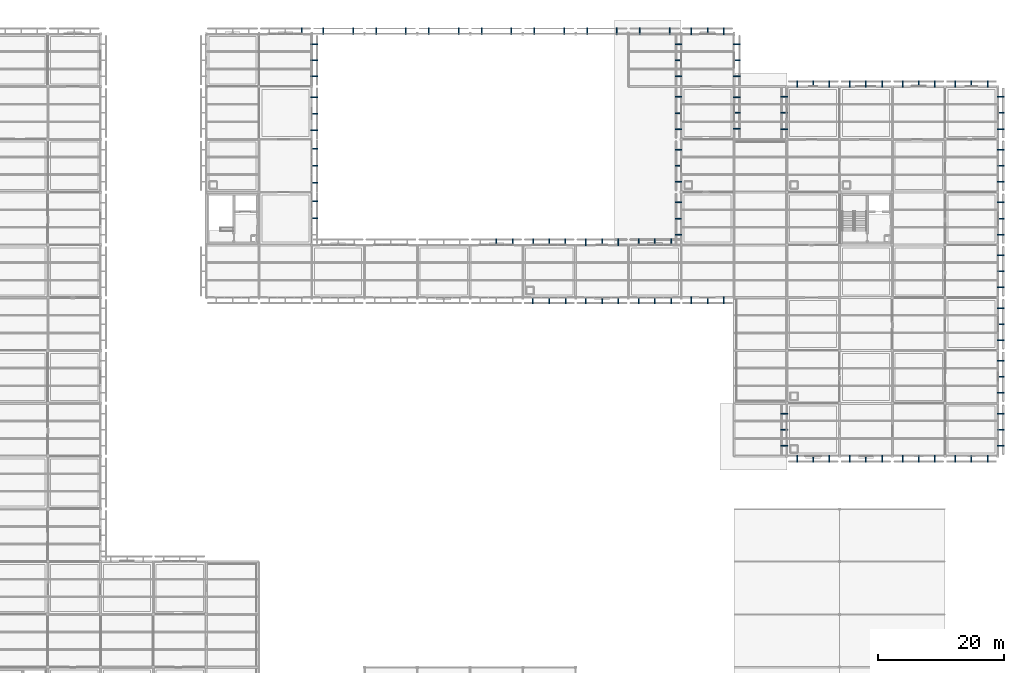
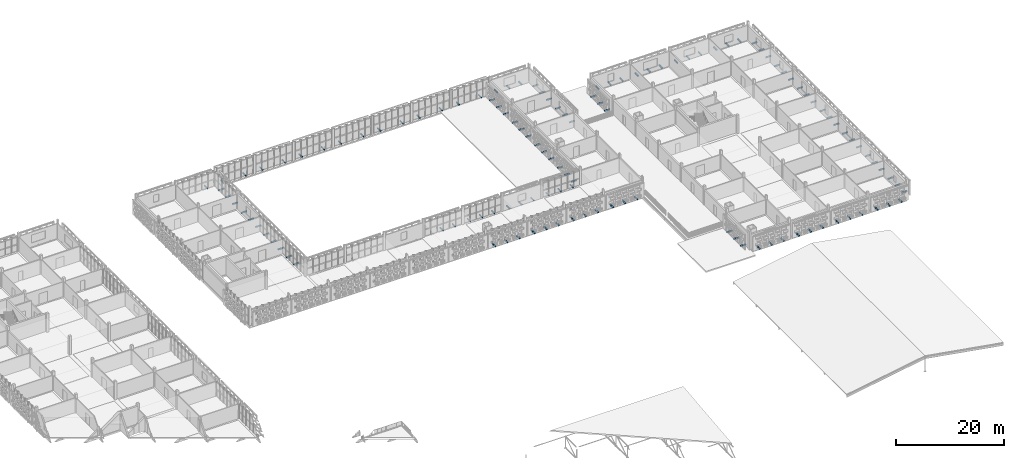
# One storey, part 95 of 140: 121 discrete accessories.
"""IFC4 building model written with IfcOpenShell, lengths in metres."""

from ifc_helpers import new_model, si_unit, direction, frame, origin, origin_2d, place, context, subcontext, project, spatial, rectangle, extrude, material, type_object, element, save


model = new_model("IFC4")

# Units and contexts
model_context = context("Model", 3, precision=1e-05, world=origin(), true_north=direction((0.0, 1.0)))
body_context = subcontext(model_context, "Body", "Model", "MODEL_VIEW")
ifc_project = project(units=[si_unit("LENGTHUNIT", "METRE"), si_unit("AREAUNIT", "SQUARE_METRE"), si_unit("VOLUMEUNIT", "CUBIC_METRE"), si_unit("PLANEANGLEUNIT", "RADIAN"), si_unit("MASSUNIT", "GRAM", prefix="KILO")], contexts=[model_context])

# Site, building, storey
site_placement = place(None, origin())
site = spatial("IfcSite", under=ifc_project, at=site_placement, CompositionType="ELEMENT")
building_placement = place(site_placement, origin())
building = spatial("IfcBuilding", under=site, at=building_placement, Name="Varnapada Polytechnic", CompositionType="ELEMENT")
storey_placement = place(building_placement, frame((0.0, 0.0, 13.800048828125)))
storey = spatial("IfcBuildingStorey", under=building, at=storey_placement, Name="L03", CompositionType="ELEMENT", Elevation=13.800048828125)

# Discrete accessories
ifc_material = material(Name="Steel S355", Category="steel")
discrete_accessory_type = type_object("IfcDiscreteAccessoryType", Name="Screen Outrigger Bracket BRK-01", PredefinedType="BRACKET", material=ifc_material)
for number, where, z_axis, x_axis, name in (
    (1, (67.625, 99.318603515625, -0.0498046875), (0.0, 0.0, 1.0), (0.0, -1.0, 0.0), "L03 terracotta screen outrigger bracket 49.1"),
    (2, (67.625, 96.68505859375, -0.0498046875), (0.0, 0.0, 1.0), (0.0, -1.0, 0.0), "L03 terracotta screen outrigger bracket 49.2"),
    (3, (67.625, 107.68798828125, -0.0498046875), (0.0, 0.0, 1.0), (0.0, -1.0, 0.0), "L03 terracotta screen outrigger bracket 50.1"),
    (4, (67.625, 105.0, -0.0498046875), (0.0, 0.0, 1.0), (0.0, -1.0, 0.0), "L03 terracotta screen outrigger bracket 50.2"),
    (5, (67.625, 102.31201171875, -0.0498046875), (0.0, 0.0, 1.0), (0.0, -1.0, 0.0), "L03 terracotta screen outrigger bracket 50.3"),
    (6, (67.625, 115.9404296875, -0.0498046875), (0.0, 0.0, 1.0), (0.0, -1.0, 0.0), "L03 terracotta screen outrigger bracket 51.1"),
    (7, (67.625, 113.31005859375, -0.0498046875), (0.0, 0.0, 1.0), (0.0, -1.0, 0.0), "L03 terracotta screen outrigger bracket 51.2"),
    (8, (67.625, 110.6796875, -0.0498046875), (0.0, 0.0, 1.0), (0.0, -1.0, 0.0), "L03 terracotta screen outrigger bracket 51.3"),
    (9, (65.592041015625, 126.425048828125, -0.0498046875), (0.0, 0.0, 1.0), (1.0, 0.0, 0.0), "L03 terracotta screen outrigger bracket 52.3"),
    (10, (67.625, 124.3359375, -0.0498046875), (0.0, 0.0, 1.0), (0.0, -1.0, 0.0), "L03 terracotta screen outrigger bracket 53.1"),
    (11, (67.625, 121.777587890625, -0.0498046875), (0.0, 0.0, 1.0), (0.0, -1.0, 0.0), "L03 terracotta screen outrigger bracket 53.2"),
    (12, (67.625, 119.218994140625, -0.0498046875), (0.0, 0.0, 1.0), (0.0, -1.0, 0.0), "L03 terracotta screen outrigger bracket 53.3"),
    (13, (96.60009765625, 92.824951171875, -0.0498046875), (0.0, 0.0, 1.0), (1.0, 0.0, 0.0), "L03 terracotta screen outrigger bracket 61.2"),
    (14, (99.17919921875, 92.824951171875, -0.0498046875), (0.0, 0.0, 1.0), (1.0, 0.0, 0.0), "L03 terracotta screen outrigger bracket 61.3"),
    (15, (107.592041015625, 83.574951171875, -0.0498046875), (0.0, 0.0, 1.0), (-1.0, 0.0, 0.0), "L03 terracotta screen outrigger bracket 62.1"),
    (16, (105.0, 83.574951171875, -0.0498046875), (0.0, 0.0, 1.0), (-1.0, 0.0, 0.0), "L03 terracotta screen outrigger bracket 62.2"),
    (17, (102.407958984375, 83.574951171875, -0.0498046875), (0.0, 0.0, 1.0), (-1.0, 0.0, 0.0), "L03 terracotta screen outrigger bracket 62.3"),
    (18, (102.4208984375, 92.824951171875, -0.0498046875), (0.0, 0.0, 1.0), (1.0, 0.0, 0.0), "L03 terracotta screen outrigger bracket 63.1"),
    (19, (105.0, 92.824951171875, -0.0498046875), (0.0, 0.0, 1.0), (1.0, 0.0, 0.0), "L03 terracotta screen outrigger bracket 63.2"),
    (20, (107.5791015625, 92.824951171875, -0.0498046875), (0.0, 0.0, 1.0), (1.0, 0.0, 0.0), "L03 terracotta screen outrigger bracket 63.3"),
    (21, (115.991943359375, 83.574951171875, -0.0498046875), (0.0, 0.0, 1.0), (-1.0, 0.0, 0.0), "L03 terracotta screen outrigger bracket 64.1"),
    (22, (113.39990234375, 83.574951171875, -0.0498046875), (0.0, 0.0, 1.0), (-1.0, 0.0, 0.0), "L03 terracotta screen outrigger bracket 64.2"),
    (23, (110.80810546875, 83.574951171875, -0.0498046875), (0.0, 0.0, 1.0), (-1.0, 0.0, 0.0), "L03 terracotta screen outrigger bracket 64.3"),
    (24, (110.82080078125, 92.824951171875, -0.0498046875), (0.0, 0.0, 1.0), (1.0, 0.0, 0.0), "L03 terracotta screen outrigger bracket 65.1"),
    (25, (113.39990234375, 92.824951171875, -0.0498046875), (0.0, 0.0, 1.0), (1.0, 0.0, 0.0), "L03 terracotta screen outrigger bracket 65.2"),
    (26, (115.979248046875, 92.824951171875, -0.0498046875), (0.0, 0.0, 1.0), (1.0, 0.0, 0.0), "L03 terracotta screen outrigger bracket 65.3"),
    (27, (124.39208984375, 83.574951171875, -0.0498046875), (0.0, 0.0, 1.0), (-1.0, 0.0, 0.0), "L03 terracotta screen outrigger bracket 66.1"),
    (28, (121.800048828125, 83.574951171875, -0.0498046875), (0.0, 0.0, 1.0), (-1.0, 0.0, 0.0), "L03 terracotta screen outrigger bracket 66.2"),
    (29, (119.2080078125, 83.574951171875, -0.0498046875), (0.0, 0.0, 1.0), (-1.0, 0.0, 0.0), "L03 terracotta screen outrigger bracket 66.3"),
    (30, (119.220703125, 92.824951171875, -0.0498046875), (0.0, 0.0, 1.0), (1.0, 0.0, 0.0), "L03 terracotta screen outrigger bracket 67.1"),
    (31, (121.800048828125, 92.824951171875, -0.0498046875), (0.0, 0.0, 1.0), (1.0, 0.0, 0.0), "L03 terracotta screen outrigger bracket 67.2"),
    (32, (124.379150390625, 92.824951171875, -0.0498046875), (0.0, 0.0, 1.0), (1.0, 0.0, 0.0), "L03 terracotta screen outrigger bracket 67.3"),
    (33, (132.7919921875, 83.574951171875, -0.0498046875), (0.0, 0.0, 1.0), (-1.0, 0.0, 0.0), "L03 terracotta screen outrigger bracket 68.1"),
    (34, (130.199951171875, 83.574951171875, -0.0498046875), (0.0, 0.0, 1.0), (-1.0, 0.0, 0.0), "L03 terracotta screen outrigger bracket 68.2"),
    (35, (127.60791015625, 83.574951171875, -0.0498046875), (0.0, 0.0, 1.0), (-1.0, 0.0, 0.0), "L03 terracotta screen outrigger bracket 68.3"),
    (36, (125.574951171875, 94.01904296875, -0.0498046875), (0.0, 0.0, 1.0), (0.0, 1.0, 0.0), "L03 terracotta screen outrigger bracket 70.1"),
    (37, (125.574951171875, 96.594970703125, -0.0498046875), (0.0, 0.0, 1.0), (0.0, 1.0, 0.0), "L03 terracotta screen outrigger bracket 70.2"),
    (38, (125.574951171875, 99.1708984375, -0.0498046875), (0.0, 0.0, 1.0), (0.0, 1.0, 0.0), "L03 terracotta screen outrigger bracket 70.3"),
    (39, (125.574951171875, 102.428955078125, -0.0498046875), (0.0, 0.0, 1.0), (0.0, 1.0, 0.0), "L03 terracotta screen outrigger bracket 72.1"),
    (40, (125.574951171875, 105.0048828125, -0.0498046875), (0.0, 0.0, 1.0), (0.0, 1.0, 0.0), "L03 terracotta screen outrigger bracket 72.2"),
    (41, (125.574951171875, 107.5810546875, -0.0498046875), (0.0, 0.0, 1.0), (0.0, 1.0, 0.0), "L03 terracotta screen outrigger bracket 72.3"),
    (42, (125.574951171875, 110.819091796875, -0.0498046875), (0.0, 0.0, 1.0), (0.0, 1.0, 0.0), "L03 terracotta screen outrigger bracket 74.1"),
    (43, (125.574951171875, 113.39501953125, -0.0498046875), (0.0, 0.0, 1.0), (0.0, 1.0, 0.0), "L03 terracotta screen outrigger bracket 74.2"),
    (44, (125.574951171875, 115.970947265625, -0.0498046875), (0.0, 0.0, 1.0), (0.0, 1.0, 0.0), "L03 terracotta screen outrigger bracket 74.3"),
    (45, (134.824951171875, 115.944091796875, -0.0498046875), (0.0, 0.0, 1.0), (0.0, -1.0, 0.0), "L03 terracotta screen outrigger bracket 75.1"),
    (46, (134.824951171875, 113.39990234375, -0.0498046875), (0.0, 0.0, 1.0), (0.0, -1.0, 0.0), "L03 terracotta screen outrigger bracket 75.2"),
    (47, (134.824951171875, 110.85595703125, -0.0498046875), (0.0, 0.0, 1.0), (0.0, -1.0, 0.0), "L03 terracotta screen outrigger bracket 75.3"),
    (48, (127.60791015625, 126.425048828125, -0.0498046875), (0.0, 0.0, 1.0), (1.0, 0.0, 0.0), "L03 terracotta screen outrigger bracket 76.1"),
    (49, (130.199951171875, 126.425048828125, -0.0498046875), (0.0, 0.0, 1.0), (1.0, 0.0, 0.0), "L03 terracotta screen outrigger bracket 76.2"),
    (50, (132.7919921875, 126.425048828125, -0.0498046875), (0.0, 0.0, 1.0), (1.0, 0.0, 0.0), "L03 terracotta screen outrigger bracket 76.3"),
    (51, (125.574951171875, 119.218994140625, -0.0498046875), (0.0, 0.0, 1.0), (0.0, 1.0, 0.0), "L03 terracotta screen outrigger bracket 77.1"),
    (52, (125.574951171875, 121.777587890625, -0.0498046875), (0.0, 0.0, 1.0), (0.0, 1.0, 0.0), "L03 terracotta screen outrigger bracket 77.2"),
    (53, (125.574951171875, 124.3359375, -0.0498046875), (0.0, 0.0, 1.0), (0.0, 1.0, 0.0), "L03 terracotta screen outrigger bracket 77.3"),
    (54, (134.824951171875, 124.34814453125, -0.0498046875), (0.0, 0.0, 1.0), (0.0, -1.0, 0.0), "L03 terracotta screen outrigger bracket 78.1"),
    (55, (134.824951171875, 121.802490234375, -0.0498046875), (0.0, 0.0, 1.0), (0.0, -1.0, 0.0), "L03 terracotta screen outrigger bracket 78.2"),
    (56, (134.824951171875, 119.2568359375, -0.0498046875), (0.0, 0.0, 1.0), (0.0, -1.0, 0.0), "L03 terracotta screen outrigger bracket 78.3"),
    (57, (149.568115234375, 58.375, -0.0498046875), (0.0, 0.0, 1.0), (-1.0, 0.0, 0.0), "L03 terracotta screen outrigger bracket 79.1"),
    (58, (147.0048828125, 58.375, -0.0498046875), (0.0, 0.0, 1.0), (-1.0, 0.0, 0.0), "L03 terracotta screen outrigger bracket 79.2"),
    (59, (144.44189453125, 58.375, -0.0498046875), (0.0, 0.0, 1.0), (-1.0, 0.0, 0.0), "L03 terracotta screen outrigger bracket 79.3"),
    (60, (142.375, 60.43994140625, -0.0498046875), (0.0, 0.0, 1.0), (0.0, 1.0, 0.0), "L03 terracotta screen outrigger bracket 80.1"),
    (61, (142.375, 63.0, -0.0498046875), (0.0, 0.0, 1.0), (0.0, 1.0, 0.0), "L03 terracotta screen outrigger bracket 80.2"),
    (62, (142.375, 65.56005859375, -0.0498046875), (0.0, 0.0, 1.0), (0.0, 1.0, 0.0), "L03 terracotta screen outrigger bracket 80.3"),
    (63, (144.44189453125, 118.02490234375, -0.0498046875), (0.0, 0.0, 1.0), (1.0, 0.0, 0.0), "L03 terracotta screen outrigger bracket 86.1"),
    (64, (147.0048828125, 118.02490234375, -0.0498046875), (0.0, 0.0, 1.0), (1.0, 0.0, 0.0), "L03 terracotta screen outrigger bracket 86.2"),
    (65, (149.568115234375, 118.02490234375, -0.0498046875), (0.0, 0.0, 1.0), (1.0, 0.0, 0.0), "L03 terracotta screen outrigger bracket 86.3"),
    (66, (142.375, 110.840087890625, -0.0498046875), (0.0, 0.0, 1.0), (0.0, 1.0, 0.0), "L03 terracotta screen outrigger bracket 87.1"),
    (67, (142.375, 113.39990234375, -0.0498046875), (0.0, 0.0, 1.0), (0.0, 1.0, 0.0), "L03 terracotta screen outrigger bracket 87.2"),
    (68, (142.375, 115.9599609375, -0.0498046875), (0.0, 0.0, 1.0), (0.0, 1.0, 0.0), "L03 terracotta screen outrigger bracket 87.3"),
    (69, (157.958251953125, 58.375, -0.0498046875), (0.0, 0.0, 1.0), (-1.0, 0.0, 0.0), "L03 terracotta screen outrigger bracket 88.1"),
    (70, (155.39501953125, 58.375, -0.0498046875), (0.0, 0.0, 1.0), (-1.0, 0.0, 0.0), "L03 terracotta screen outrigger bracket 88.2"),
    (71, (152.831787109375, 58.375, -0.0498046875), (0.0, 0.0, 1.0), (-1.0, 0.0, 0.0), "L03 terracotta screen outrigger bracket 88.3"),
    (72, (152.831787109375, 118.02490234375, -0.0498046875), (0.0, 0.0, 1.0), (1.0, 0.0, 0.0), "L03 terracotta screen outrigger bracket 89.1"),
    (73, (155.39501953125, 118.02490234375, -0.0498046875), (0.0, 0.0, 1.0), (1.0, 0.0, 0.0), "L03 terracotta screen outrigger bracket 89.2"),
    (74, (157.958251953125, 118.02490234375, -0.0498046875), (0.0, 0.0, 1.0), (1.0, 0.0, 0.0), "L03 terracotta screen outrigger bracket 89.3"),
    (75, (166.3681640625, 58.375, -0.0498046875), (0.0, 0.0, 1.0), (-1.0, 0.0, 0.0), "L03 terracotta screen outrigger bracket 90.1"),
    (76, (163.804931640625, 58.375, -0.0498046875), (0.0, 0.0, 1.0), (-1.0, 0.0, 0.0), "L03 terracotta screen outrigger bracket 90.2"),
    (77, (161.24169921875, 58.375, -0.0498046875), (0.0, 0.0, 1.0), (-1.0, 0.0, 0.0), "L03 terracotta screen outrigger bracket 90.3"),
    (78, (161.24169921875, 118.02490234375, -0.0498046875), (0.0, 0.0, 1.0), (1.0, 0.0, 0.0), "L03 terracotta screen outrigger bracket 91.1"),
    (79, (163.804931640625, 118.02490234375, -0.0498046875), (0.0, 0.0, 1.0), (1.0, 0.0, 0.0), "L03 terracotta screen outrigger bracket 91.2"),
    (80, (166.3681640625, 118.02490234375, -0.0498046875), (0.0, 0.0, 1.0), (1.0, 0.0, 0.0), "L03 terracotta screen outrigger bracket 91.3"),
    (81, (174.75830078125, 58.375, -0.0498046875), (0.0, 0.0, 1.0), (-1.0, 0.0, 0.0), "L03 terracotta screen outrigger bracket 92.1"),
    (82, (172.195068359375, 58.375, -0.0498046875), (0.0, 0.0, 1.0), (-1.0, 0.0, 0.0), "L03 terracotta screen outrigger bracket 92.2"),
    (83, (169.6318359375, 58.375, -0.0498046875), (0.0, 0.0, 1.0), (-1.0, 0.0, 0.0), "L03 terracotta screen outrigger bracket 92.3"),
    (84, (176.824951171875, 65.56005859375, -0.0498046875), (0.0, 0.0, 1.0), (0.0, -1.0, 0.0), "L03 terracotta screen outrigger bracket 93.1"),
    (85, (176.824951171875, 63.0, -0.0498046875), (0.0, 0.0, 1.0), (0.0, -1.0, 0.0), "L03 terracotta screen outrigger bracket 93.2"),
    (86, (176.824951171875, 60.43994140625, -0.0498046875), (0.0, 0.0, 1.0), (0.0, -1.0, 0.0), "L03 terracotta screen outrigger bracket 93.3"),
    (87, (176.824951171875, 73.9599609375, -0.0498046875), (0.0, 0.0, 1.0), (0.0, -1.0, 0.0), "L03 terracotta screen outrigger bracket 94.1"),
    (88, (176.824951171875, 71.39990234375, -0.0498046875), (0.0, 0.0, 1.0), (0.0, -1.0, 0.0), "L03 terracotta screen outrigger bracket 94.2"),
    (89, (176.824951171875, 68.840087890625, -0.0498046875), (0.0, 0.0, 1.0), (0.0, -1.0, 0.0), "L03 terracotta screen outrigger bracket 94.3"),
    (90, (176.824951171875, 82.360107421875, -0.0498046875), (0.0, 0.0, 1.0), (0.0, -1.0, 0.0), "L03 terracotta screen outrigger bracket 95.1"),
    (91, (176.824951171875, 79.800048828125, -0.0498046875), (0.0, 0.0, 1.0), (0.0, -1.0, 0.0), "L03 terracotta screen outrigger bracket 95.2"),
    (92, (176.824951171875, 77.239990234375, -0.0498046875), (0.0, 0.0, 1.0), (0.0, -1.0, 0.0), "L03 terracotta screen outrigger bracket 95.3"),
    (93, (176.824951171875, 90.760009765625, -0.0498046875), (0.0, 0.0, 1.0), (0.0, -1.0, 0.0), "L03 terracotta screen outrigger bracket 96.1"),
    (94, (176.824951171875, 88.199951171875, -0.0498046875), (0.0, 0.0, 1.0), (0.0, -1.0, 0.0), "L03 terracotta screen outrigger bracket 96.2"),
    (95, (176.824951171875, 85.639892578125, -0.0498046875), (0.0, 0.0, 1.0), (0.0, -1.0, 0.0), "L03 terracotta screen outrigger bracket 96.3"),
    (96, (176.824951171875, 99.159912109375, -0.0498046875), (0.0, 0.0, 1.0), (0.0, -1.0, 0.0), "L03 terracotta screen outrigger bracket 97.1"),
    (97, (176.824951171875, 96.60009765625, -0.0498046875), (0.0, 0.0, 1.0), (0.0, -1.0, 0.0), "L03 terracotta screen outrigger bracket 97.2"),
    (98, (176.824951171875, 94.0400390625, -0.0498046875), (0.0, 0.0, 1.0), (0.0, -1.0, 0.0), "L03 terracotta screen outrigger bracket 97.3"),
    (99, (176.824951171875, 107.56005859375, -0.0498046875), (0.0, 0.0, 1.0), (0.0, -1.0, 0.0), "L03 terracotta screen outrigger bracket 98.1"),
    (100, (176.824951171875, 105.0, -0.0498046875), (0.0, 0.0, 1.0), (0.0, -1.0, 0.0), "L03 terracotta screen outrigger bracket 98.2"),
    (101, (176.824951171875, 102.43994140625, -0.0498046875), (0.0, 0.0, 1.0), (0.0, -1.0, 0.0), "L03 terracotta screen outrigger bracket 98.3"),
    (102, (169.6318359375, 118.02490234375, -0.0498046875), (0.0, 0.0, 1.0), (1.0, 0.0, 0.0), "L03 terracotta screen outrigger bracket 99.1"),
    (103, (172.195068359375, 118.02490234375, -0.0498046875), (0.0, 0.0, 1.0), (1.0, 0.0, 0.0), "L03 terracotta screen outrigger bracket 99.2"),
    (104, (174.75830078125, 118.02490234375, -0.0498046875), (0.0, 0.0, 1.0), (1.0, 0.0, 0.0), "L03 terracotta screen outrigger bracket 99.3"),
    (105, (176.824951171875, 115.9599609375, -0.0498046875), (0.0, 0.0, 1.0), (0.0, -1.0, 0.0), "L03 terracotta screen outrigger bracket 100.1"),
    (106, (176.824951171875, 113.39990234375, -0.0498046875), (0.0, 0.0, 1.0), (0.0, -1.0, 0.0), "L03 terracotta screen outrigger bracket 100.2"),
    (107, (176.824951171875, 110.840087890625, -0.0498046875), (0.0, 0.0, 1.0), (0.0, -1.0, 0.0), "L03 terracotta screen outrigger bracket 100.3"),
):
    element("IfcDiscreteAccessory", number, at=place(storey_placement, frame(where, z_axis=z_axis, x_axis=x_axis)), inside=storey, type_object=discrete_accessory_type, Name=name, PredefinedType="BRACKET", context=body_context, shape_type="SweptSolid", body=[
        extrude(rectangle(XDim=0.159912109375, YDim=1.090087890625, at=origin_2d()), origin(), (0.0, 0.0, 1.0), 0.219970703125),
    ])
for number, where, z_axis, x_axis, name in (
    (108, (69.030029296875, 126.419921875, -0.0302734375), (0.0, 0.0, 1.0), (1.0, 0.0, 0.0), "L03 high-bay workshop screen bracket 9.1"),
    (109, (73.77001953125, 126.419921875, -0.0302734375), (0.0, 0.0, 1.0), (1.0, 0.0, 0.0), "L03 high-bay workshop screen bracket 9.2"),
    (110, (77.429931640625, 126.419921875, -0.0302734375), (0.0, 0.0, 1.0), (1.0, 0.0, 0.0), "L03 high-bay workshop screen bracket 10.1"),
    (111, (82.169921875, 126.419921875, -0.0302734375), (0.0, 0.0, 1.0), (1.0, 0.0, 0.0), "L03 high-bay workshop screen bracket 10.2"),
    (112, (85.830078125, 126.419921875, -0.0302734375), (0.0, 0.0, 1.0), (1.0, 0.0, 0.0), "L03 high-bay workshop screen bracket 11.1"),
    (113, (90.570068359375, 126.419921875, -0.0302734375), (0.0, 0.0, 1.0), (1.0, 0.0, 0.0), "L03 high-bay workshop screen bracket 11.2"),
    (114, (94.22998046875, 126.419921875, -0.0302734375), (0.0, 0.0, 1.0), (1.0, 0.0, 0.0), "L03 high-bay workshop screen bracket 12.1"),
    (115, (98.969970703125, 126.419921875, -0.0302734375), (0.0, 0.0, 1.0), (1.0, 0.0, 0.0), "L03 high-bay workshop screen bracket 12.2"),
    (116, (102.6298828125, 126.419921875, -0.0302734375), (0.0, 0.0, 1.0), (1.0, 0.0, 0.0), "L03 high-bay workshop screen bracket 13.1"),
    (117, (107.3701171875, 126.419921875, -0.0302734375), (0.0, 0.0, 1.0), (1.0, 0.0, 0.0), "L03 high-bay workshop screen bracket 13.2"),
    (118, (111.030029296875, 126.419921875, -0.0302734375), (0.0, 0.0, 1.0), (1.0, 0.0, 0.0), "L03 high-bay workshop screen bracket 14.1"),
    (119, (115.77001953125, 126.419921875, -0.0302734375), (0.0, 0.0, 1.0), (1.0, 0.0, 0.0), "L03 high-bay workshop screen bracket 14.2"),
    (120, (119.429931640625, 126.419921875, -0.0302734375), (0.0, 0.0, 1.0), (1.0, 0.0, 0.0), "L03 high-bay workshop screen bracket 15.1"),
    (121, (124.169921875, 126.419921875, -0.0302734375), (0.0, 0.0, 1.0), (1.0, 0.0, 0.0), "L03 high-bay workshop screen bracket 15.2"),
):
    element("IfcDiscreteAccessory", number, at=place(storey_placement, frame(where, z_axis=z_axis, x_axis=x_axis)), inside=storey, type_object=discrete_accessory_type, Name=name, PredefinedType="BRACKET", context=body_context, shape_type="SweptSolid", body=[
        extrude(rectangle(XDim=0.159912109375, YDim=1.06005859375, at=origin_2d()), origin(), (0.0, 0.0, 1.0), 0.219970703125),
    ])

save(model, "model.ifc")
